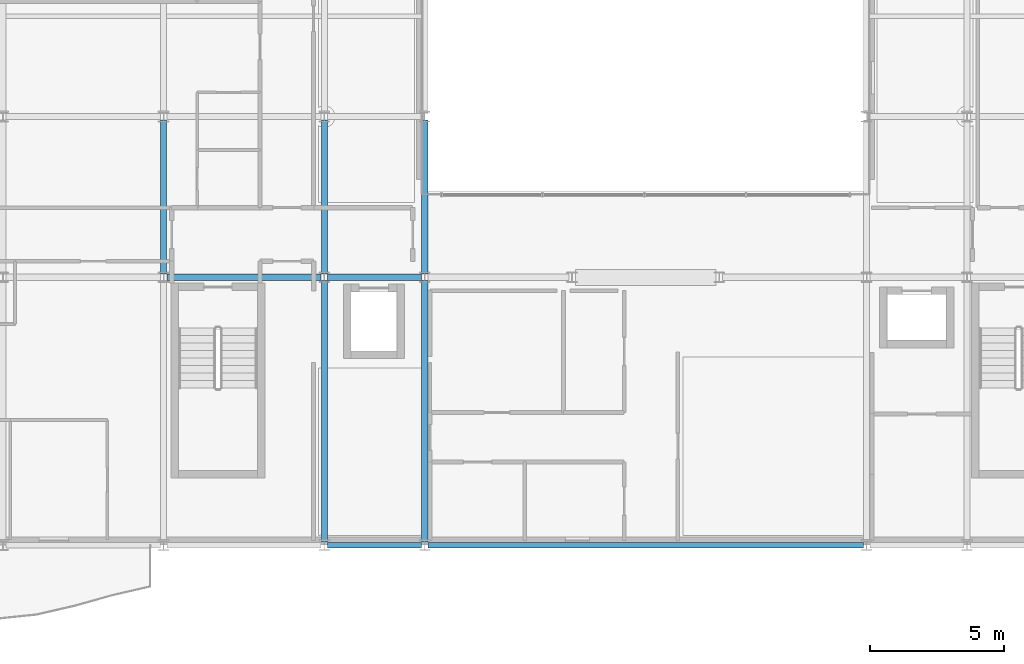
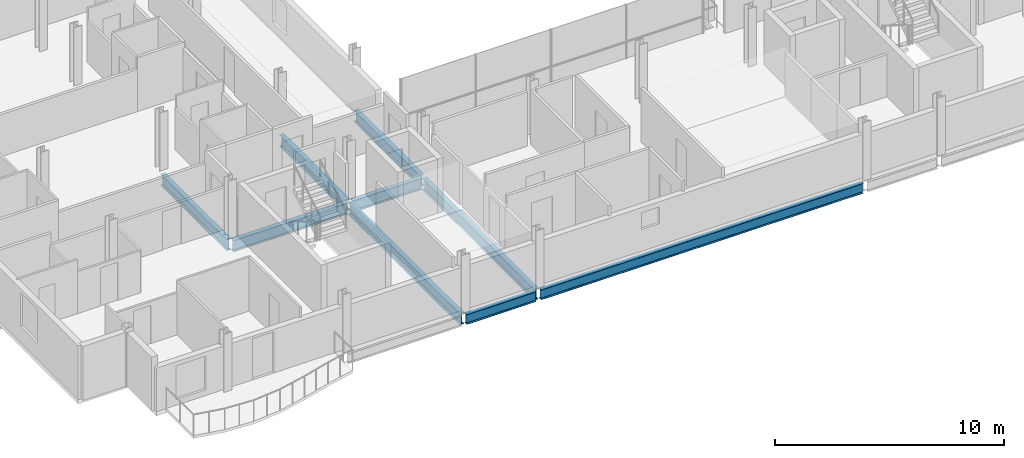
# One storey, part 5 of 41: 9 beams.
"""IFC4 building model written with IfcOpenShell, lengths in metres."""

from ifc_helpers import new_model, si_unit, direction, frame, origin, origin_2d, place, context, subcontext, project, spatial, i_section, extrude, material, material_profile, profile_set, type_object, element, save


model = new_model("IFC4")

# Units and contexts
model_context = context("Model", 3, precision=1e-05, world=origin(), true_north=direction((0.0, 1.0)))
body_context = subcontext(model_context, "Body", "Model", "MODEL_VIEW")
ifc_project = project(units=[si_unit("LENGTHUNIT", "METRE"), si_unit("AREAUNIT", "SQUARE_METRE"), si_unit("VOLUMEUNIT", "CUBIC_METRE"), si_unit("PLANEANGLEUNIT", "RADIAN"), si_unit("MASSUNIT", "GRAM", prefix="KILO")], contexts=[model_context])

# Site, building, storey
site_placement = place(None, origin())
site = spatial("IfcSite", under=ifc_project, at=site_placement, CompositionType="ELEMENT")
building_placement = place(site_placement, origin())
building = spatial("IfcBuilding", under=site, at=building_placement, Name="Brevholm Reach", CompositionType="ELEMENT")
storey_placement = place(building_placement, frame((0.0, 0.0, 144.89990234375)))
storey = spatial("IfcBuildingStorey", under=building, at=storey_placement, Name="L43", CompositionType="ELEMENT", Elevation=144.89990234375)

# Beams
ifc_material_1 = material(Name="Structural Steel S355J2", Category="steel")
ifc_material_profile_1 = material_profile(ifc_material_1, i_section(OverallWidth=0.209228515625, OverallDepth=0.533203125, WebThickness=0.010009765625, FlangeThickness=0.015625, FilletRadius=0.0126953125, at=origin_2d()), Name="UKB 533x210x92")
ifc_profile_set_1 = profile_set([ifc_material_profile_1], Name="Structural Steel S355J2")
beam_type_1 = type_object("IfcBeamType", Name="BM-SP533", PredefinedType="SPANDREL", material=ifc_profile_set_1)
beam_1_placement = place(storey_placement, frame((18.1201171875, 0.0, -0.486572265625), z_axis=(1.0, 0.0, 0.0), x_axis=(0.0, 1.0, 0.0)))
element("IfcBeam", 1, at=beam_1_placement, inside=storey, type_object=beam_type_1, Name="L43 SP-02 Framing Beam", PredefinedType="SPANDREL", context=body_context, shape_type="SweptSolid", body=[
    extrude(i_section(OverallWidth=0.209228515625, OverallDepth=0.533203125, WebThickness=0.010009765625, FlangeThickness=0.015625, FilletRadius=0.0126953125, at=origin_2d()), origin(), (0.0, 0.0, 1.0), 3.509765625),
])
beam_2_placement = place(storey_placement, frame((21.8701171875, 0.0, -0.486572265625), z_axis=(1.0, 0.0, 0.0), x_axis=(0.0, 1.0, 0.0)))
element("IfcBeam", 2, at=beam_2_placement, inside=storey, type_object=beam_type_1, Name="L43 SP-02 Framing Beam", PredefinedType="SPANDREL", context=body_context, shape_type="SweptSolid", body=[
    extrude(i_section(OverallWidth=0.209228515625, OverallDepth=0.533203125, WebThickness=0.010009765625, FlangeThickness=0.015625, FilletRadius=0.0126953125, at=origin_2d()), origin(), (0.0, 0.0, 1.0), 16.259765625),
])
ifc_material_2 = material(Name="Structural Steel S355J2", Category="steel")
ifc_material_profile_2 = material_profile(ifc_material_2, i_section(OverallWidth=0.22900390625, OverallDepth=0.6123046875, WebThickness=0.011962890625, FlangeThickness=0.01953125, FilletRadius=0.0126953125, at=origin_2d()), Name="UKB 610x229x125")
ifc_profile_set_2 = profile_set([ifc_material_profile_2], Name="Structural Steel S355J2")
beam_type_2 = type_object("IfcBeamType", Name="BM-SP610", PredefinedType="SPANDREL", material=ifc_profile_set_2)
beam_3_placement = place(storey_placement, frame((12.1201171875, 10.0, -0.526123046875), z_axis=(1.0, 0.0, 0.0), x_axis=(0.0, 1.0, 0.0)))
element("IfcBeam", 3, at=beam_3_placement, inside=storey, type_object=beam_type_2, Name="L43 SP-01 Framing Beam", PredefinedType="SPANDREL", context=body_context, shape_type="SweptSolid", body=[
    extrude(i_section(OverallWidth=0.22900390625, OverallDepth=0.6123046875, WebThickness=0.011962890625, FlangeThickness=0.01953125, FilletRadius=0.0126953125, at=origin_2d()), origin(), (0.0, 0.0, 1.0), 5.759765625),
])
beam_4_placement = place(storey_placement, frame((18.1201171875, 10.0, -0.526123046875), z_axis=(1.0, 0.0, 0.0), x_axis=(0.0, 1.0, 0.0)))
element("IfcBeam", 4, at=beam_4_placement, inside=storey, type_object=beam_type_2, Name="L43 SP-01 Framing Beam", PredefinedType="SPANDREL", context=body_context, shape_type="SweptSolid", body=[
    extrude(i_section(OverallWidth=0.22900390625, OverallDepth=0.6123046875, WebThickness=0.011962890625, FlangeThickness=0.01953125, FilletRadius=0.0126953125, at=origin_2d()), origin(), (0.0, 0.0, 1.0), 3.509765625),
])
beam_5_placement = place(storey_placement, frame((12.0, 10.1201171875, -0.526123046875), z_axis=(0.0, 1.0, 0.0), x_axis=(-1.0, 0.0, 0.0)))
element("IfcBeam", 5, at=beam_5_placement, inside=storey, type_object=beam_type_2, Name="L43 SP-01 Framing Beam", PredefinedType="SPANDREL", context=body_context, shape_type="SweptSolid", body=[
    extrude(i_section(OverallWidth=0.22900390625, OverallDepth=0.6123046875, WebThickness=0.011962890625, FlangeThickness=0.01953125, FilletRadius=0.0126953125, at=origin_2d()), origin(), (0.0, 0.0, 1.0), 5.759765625),
])
beam_6_placement = place(storey_placement, frame((18.0, 0.1201171875, -0.526123046875), z_axis=(0.0, 1.0, 0.0), x_axis=(-1.0, 0.0, 0.0)))
element("IfcBeam", 6, at=beam_6_placement, inside=storey, type_object=beam_type_2, Name="L43 SP-01 Framing Beam", PredefinedType="SPANDREL", context=body_context, shape_type="SweptSolid", body=[
    extrude(i_section(OverallWidth=0.22900390625, OverallDepth=0.6123046875, WebThickness=0.011962890625, FlangeThickness=0.01953125, FilletRadius=0.0126953125, at=origin_2d()), origin(), (0.0, 0.0, 1.0), 9.759765625),
])
beam_7_placement = place(storey_placement, frame((18.0, 10.1201171875, -0.526123046875), z_axis=(0.0, 1.0, 0.0), x_axis=(-1.0, 0.0, 0.0)))
element("IfcBeam", 7, at=beam_7_placement, inside=storey, type_object=beam_type_2, Name="L43 SP-01 Framing Beam", PredefinedType="SPANDREL", context=body_context, shape_type="SweptSolid", body=[
    extrude(i_section(OverallWidth=0.22900390625, OverallDepth=0.6123046875, WebThickness=0.011962890625, FlangeThickness=0.01953125, FilletRadius=0.0126953125, at=origin_2d()), origin(), (0.0, 0.0, 1.0), 5.759765625),
])
beam_8_placement = place(storey_placement, frame((21.75, 0.1201171875, -0.526123046875), z_axis=(0.0, 1.0, 0.0), x_axis=(-1.0, 0.0, 0.0)))
element("IfcBeam", 8, at=beam_8_placement, inside=storey, type_object=beam_type_2, Name="L43 SP-01 Framing Beam", PredefinedType="SPANDREL", context=body_context, shape_type="SweptSolid", body=[
    extrude(i_section(OverallWidth=0.22900390625, OverallDepth=0.6123046875, WebThickness=0.011962890625, FlangeThickness=0.01953125, FilletRadius=0.0126953125, at=origin_2d()), origin(), (0.0, 0.0, 1.0), 9.759765625),
])
beam_9_placement = place(storey_placement, frame((21.75, 10.1201171875, -0.526123046875), z_axis=(0.0, 1.0, 0.0), x_axis=(-1.0, 0.0, 0.0)))
element("IfcBeam", 9, at=beam_9_placement, inside=storey, type_object=beam_type_2, Name="L43 SP-01 Framing Beam", PredefinedType="SPANDREL", context=body_context, shape_type="SweptSolid", body=[
    extrude(i_section(OverallWidth=0.22900390625, OverallDepth=0.6123046875, WebThickness=0.011962890625, FlangeThickness=0.01953125, FilletRadius=0.0126953125, at=origin_2d()), origin(), (0.0, 0.0, 1.0), 5.759765625),
])

save(model, "model.ifc")
